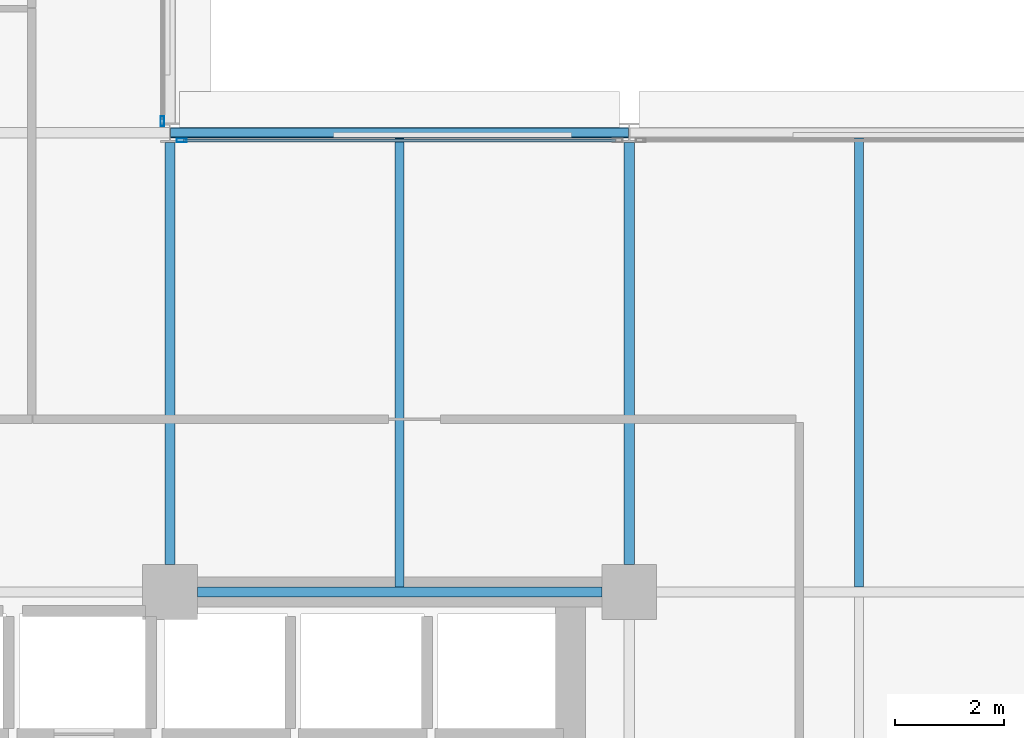
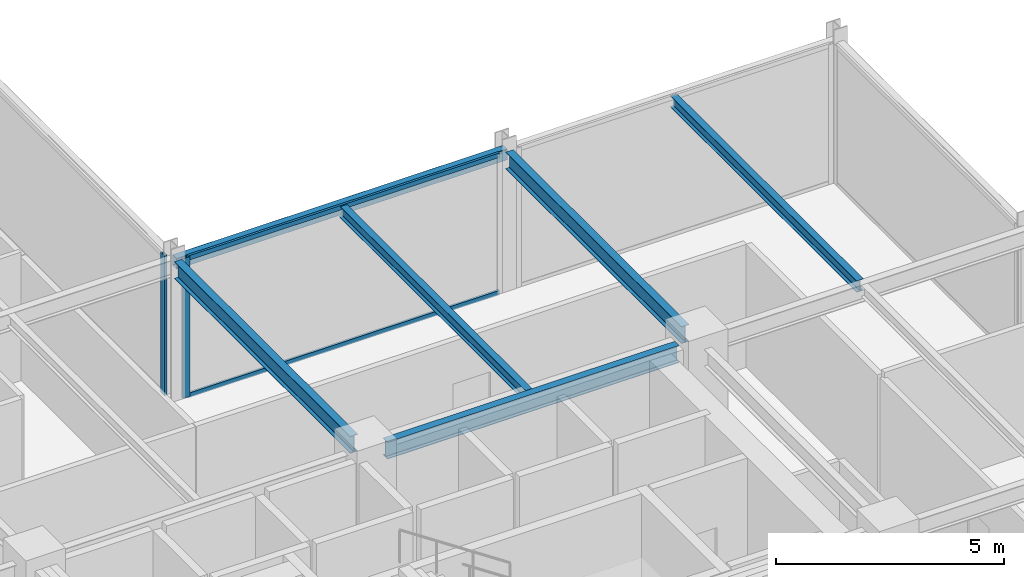
# One storey, part 14 of 30: 6 beams, 4 members, 2 elements without a shape of their own.
"""IFC4 building model written with IfcOpenShell, lengths in metres."""

from ifc_helpers import new_model, si_unit, direction, frame, origin, origin_2d, place, context, subcontext, project, spatial, hollow_rectangle, i_section, extrude, material, layer, layer_set, material_profile, profile_set, type_object, element, aggregate, save


model = new_model("IFC4")

# Units and contexts
model_context = context("Model", 3, precision=1e-05, world=origin(), true_north=direction((0.0, 1.0)))
body_context = subcontext(model_context, "Body", "Model", "MODEL_VIEW")
ifc_project = project(units=[si_unit("LENGTHUNIT", "METRE"), si_unit("AREAUNIT", "SQUARE_METRE"), si_unit("VOLUMEUNIT", "CUBIC_METRE"), si_unit("PLANEANGLEUNIT", "RADIAN"), si_unit("MASSUNIT", "GRAM", prefix="KILO")], contexts=[model_context])

# Site, building, storey
site_placement = place(None, origin())
site = spatial("IfcSite", under=ifc_project, at=site_placement, CompositionType="ELEMENT")
building_placement = place(site_placement, origin())
building = spatial("IfcBuilding", under=site, at=building_placement, Name="Nerrivon Quay Data Exchange", CompositionType="ELEMENT")
storey_placement = place(building_placement, frame((0.0, 0.0, 216.5)))
storey = spatial("IfcBuildingStorey", under=building, at=storey_placement, Name="L51", CompositionType="ELEMENT", Elevation=216.5)

# Beams
ifc_material_1 = material(Name="Steel Grade 350", Category="steel")
ifc_material_profile_1 = material_profile(ifc_material_1, i_section(OverallWidth=0.19091796875, OverallDepth=0.4599609375, WebThickness=0.010009765625, FlangeThickness=0.01611328125, FilletRadius=0.011474609375, at=origin_2d()), Name="460UB82.1")
ifc_profile_set_1 = profile_set([ifc_material_profile_1], Name="Steel Grade 350")
beam_type_1 = type_object("IfcBeamType", Name="BM-G5-460UB82", PredefinedType="BEAM", material=ifc_profile_set_1)
beam_1_placement = place(storey_placement, frame((25.699951171875, 16.800048828125, 3.52001953125), z_axis=(1.0, 0.0, 0.0), x_axis=(0.0, 1.0, 0.0)))
element("IfcBeam", 1, at=beam_1_placement, inside=storey, type_object=beam_type_1, Name="L51 EW Girder Y=16.8 (25.2..33.6)", PredefinedType="BEAM", context=body_context, shape_type="SweptSolid", body=[
    extrude(i_section(OverallWidth=0.19091796875, OverallDepth=0.4599609375, WebThickness=0.010009765625, FlangeThickness=0.01611328125, FilletRadius=0.011474609375, at=origin_2d()), origin(), (0.0, 0.0, 1.0), 7.400146484375),
])
ifc_material_profile_2 = material_profile(ifc_material_1, i_section(OverallWidth=0.18994140625, OverallDepth=0.4541015625, WebThickness=0.008544921875, FlangeThickness=0.0126953125, FilletRadius=0.011474609375, at=origin_2d()), Name="460UB67.1")
ifc_profile_set_2 = profile_set([ifc_material_profile_2], Name="Steel Grade 350")
beam_type_2 = type_object("IfcBeamType", Name="BM-G6-460UB67", PredefinedType="BEAM", material=ifc_profile_set_2)
for number, where, z_axis, x_axis, name in (
    (2, (25.199951171875, 17.300048828125, 3.52294921875), (0.0, 1.0, 0.0), (-1.0, 0.0, 0.0), "L51 NS Girder X=25.2 (16.8..25.2)"),
    (3, (33.60009765625, 17.300048828125, 3.52294921875), (0.0, 1.0, 0.0), (-1.0, 0.0, 0.0), "L51 NS Girder X=33.6 (16.8..25.2)"),
):
    element("IfcBeam", number, at=place(storey_placement, frame(where, z_axis=z_axis, x_axis=x_axis)), inside=storey, type_object=beam_type_2, Name=name, PredefinedType="BEAM", context=body_context, shape_type="SweptSolid", body=[
        extrude(i_section(OverallWidth=0.18994140625, OverallDepth=0.4541015625, WebThickness=0.008544921875, FlangeThickness=0.0126953125, FilletRadius=0.011474609375, at=origin_2d()), origin(), (0.0, 0.0, 1.0), 7.724853515625),
    ])
ifc_material_profile_3 = material_profile(ifc_material_1, i_section(OverallWidth=0.166015625, OverallDepth=0.306884765625, WebThickness=0.006591796875, FlangeThickness=0.01171875, FilletRadius=0.011474609375, at=origin_2d()), Name="310UB46.2")
ifc_profile_set_3 = profile_set([ifc_material_profile_3], Name="Steel Grade 350")
beam_type_3 = type_object("IfcBeamType", Name="BM-J5-310UB46", PredefinedType="JOIST", material=ifc_profile_set_3)
for number, where, z_axis, x_axis, name in (
    (4, (29.39990234375, 16.8955078125, 3.596435546875), (0.0, 1.0, 0.0), (-1.0, 0.0, 0.0), "L51 Secondary Joist X=29.4 (16.8..25.2)"),
    (5, (37.800048828125, 16.8955078125, 3.596435546875), (0.0, 1.0, 0.0), (-1.0, 0.0, 0.0), "L51 Secondary Joist X=37.8 (16.8..25.2)"),
):
    element("IfcBeam", number, at=place(storey_placement, frame(where, z_axis=z_axis, x_axis=x_axis)), inside=storey, type_object=beam_type_3, Name=name, PredefinedType="JOIST", context=body_context, shape_type="SweptSolid", body=[
        extrude(i_section(OverallWidth=0.166015625, OverallDepth=0.306884765625, WebThickness=0.006591796875, FlangeThickness=0.01171875, FilletRadius=0.011474609375, at=origin_2d()), origin(), (0.0, 0.0, 1.0), 8.20458984375),
    ])
ifc_material_2 = material(Name="Steel Grade C350L0 (350 MPa)", Category="steel")
ifc_material_profile_4 = material_profile(ifc_material_2, hollow_rectangle(XDim=0.199951171875, YDim=0.300048828125, WallThickness=0.012451171875, InnerFilletRadius=0.018798828125, OuterFilletRadius=0.03125, at=origin_2d()), Name="300x200x12.5RHS")
ifc_profile_set_4 = profile_set([ifc_material_profile_4], Name="Steel Grade C350L0 (350 MPa)")
beam_type_4 = type_object("IfcBeamType", Name="BM-SP3-300x200RHS", PredefinedType="SPANDREL", material=ifc_profile_set_4)
beam_2_placement = place(storey_placement, frame((25.2099609375, 25.199951171875, 3.60009765625), z_axis=(1.0, 0.0, 0.0), x_axis=(0.0, 1.0, 0.0)))
element("IfcBeam", 6, at=beam_2_placement, inside=storey, type_object=beam_type_4, Name="L51 EW Girder Y=25.2 (25.2..33.6)", PredefinedType="SPANDREL", context=body_context, shape_type="SweptSolid", body=[
    extrude(hollow_rectangle(XDim=0.199951171875, YDim=0.300048828125, WallThickness=0.012451171875, InnerFilletRadius=0.018798828125, OuterFilletRadius=0.03125, at=origin_2d()), origin(), (0.0, 0.0, 1.0), 8.380126953125),
])

# Curtain wall, member
ifc_material_3 = material(Name="Anodised aluminium 6063-T6", Category="aluminium")
ifc_layer = layer(ifc_material_3, 0.195068359375)
ifc_layer_set = layer_set([ifc_layer], Name="Anodised aluminium 6063-T6")
curtain_wall_type = type_object("IfcCurtainWallType", Name="CW-SYS-06", PredefinedType="NOTDEFINED", material=ifc_layer_set)
curtain_wall_1_placement = place(storey_placement, origin())
curtain_wall_1 = element("IfcCurtainWall", 7, at=curtain_wall_1_placement, inside=storey, type_object=curtain_wall_type, Name="L51 Unitised Curtain Wall 15", PredefinedType="NOTDEFINED")
ifc_material_profile_5 = material_profile(ifc_material_3, hollow_rectangle(XDim=0.06494140625, YDim=0.179931640625, WallThickness=0.00341796875, at=origin_2d()), Name="ALU-MULL-180x65")
ifc_profile_set_5 = profile_set([ifc_material_profile_5], Name="Anodised aluminium 6063-T6")
member_type_1 = type_object("IfcMemberType", Name="CWM-180x65", PredefinedType="MULLION", material=ifc_profile_set_5)
member_1_placement = place(storey_placement, frame((25.06005859375, 25.41259765625, 0.0), z_axis=(0.0, 0.0, 1.0), x_axis=(1.0, 0.0, 0.0)))
member_1 = element("IfcMember", 8, at=member_1_placement, type_object=member_type_1, Name="CW06 mullion 2", PredefinedType="MULLION", context=body_context, shape_type="SweptSolid", body=[
    extrude(hollow_rectangle(XDim=0.06494140625, YDim=0.179931640625, WallThickness=0.00341796875, at=origin_2d()), origin(), (0.0, 0.0, 1.0), 3.75),
])
aggregate(curtain_wall_1, [member_1])

# Curtain wall, members
curtain_wall_2_placement = place(storey_placement, origin())
curtain_wall_2 = element("IfcCurtainWall", 9, at=curtain_wall_2_placement, inside=storey, type_object=curtain_wall_type, Name="L51 Unitised Curtain Wall 16", PredefinedType="NOTDEFINED")
member_2_placement = place(storey_placement, frame((25.41259765625, 25.06005859375, 0.0), z_axis=(0.0, 0.0, 1.0), x_axis=(0.0, 1.0, 0.0)))
member_2 = element("IfcMember", 10, at=member_2_placement, type_object=member_type_1, Name="CW06 mullion 1", PredefinedType="MULLION", context=body_context, shape_type="SweptSolid", body=[
    extrude(hollow_rectangle(XDim=0.06494140625, YDim=0.179931640625, WallThickness=0.00341796875, at=origin_2d()), origin(), (0.0, 0.0, 1.0), 3.75),
])
ifc_material_profile_6 = material_profile(ifc_material_3, hollow_rectangle(XDim=0.06005859375, YDim=0.1201171875, WallThickness=0.003173828125, at=origin_2d()), Name="ALU-TRAN-120x60")
ifc_profile_set_6 = profile_set([ifc_material_profile_6], Name="Anodised aluminium 6063-T6")
member_type_2 = type_object("IfcMemberType", Name="CWT-120x60", PredefinedType="USERDEFINED", material=ifc_profile_set_6)
member_3_placement = place(storey_placement, frame((25.449951171875, 25.06005859375, 0.032470703125), z_axis=(1.0, 0.0, 0.0), x_axis=(0.0, 1.0, 0.0)))
member_3 = element("IfcMember", 11, at=member_3_placement, type_object=member_type_2, Name="CW06 transom 1.1", ObjectType="TRANSOM", PredefinedType="USERDEFINED", context=body_context, shape_type="SweptSolid", body=[
    extrude(hollow_rectangle(XDim=0.06005859375, YDim=0.1201171875, WallThickness=0.003173828125, at=origin_2d()), origin(), (0.0, 0.0, 1.0), 7.900146484375),
])
member_4_placement = place(storey_placement, frame((25.449951171875, 25.06005859375, 3.717529296875), z_axis=(1.0, 0.0, 0.0), x_axis=(0.0, 1.0, 0.0)))
member_4 = element("IfcMember", 12, at=member_4_placement, type_object=member_type_2, Name="CW06 transom 1.2", ObjectType="TRANSOM", PredefinedType="USERDEFINED", context=body_context, shape_type="SweptSolid", body=[
    extrude(hollow_rectangle(XDim=0.06005859375, YDim=0.1201171875, WallThickness=0.003173828125, at=origin_2d()), origin(), (0.0, 0.0, 1.0), 7.900146484375),
])
aggregate(curtain_wall_2, [member_2, member_3, member_4])

save(model, "model.ifc")
